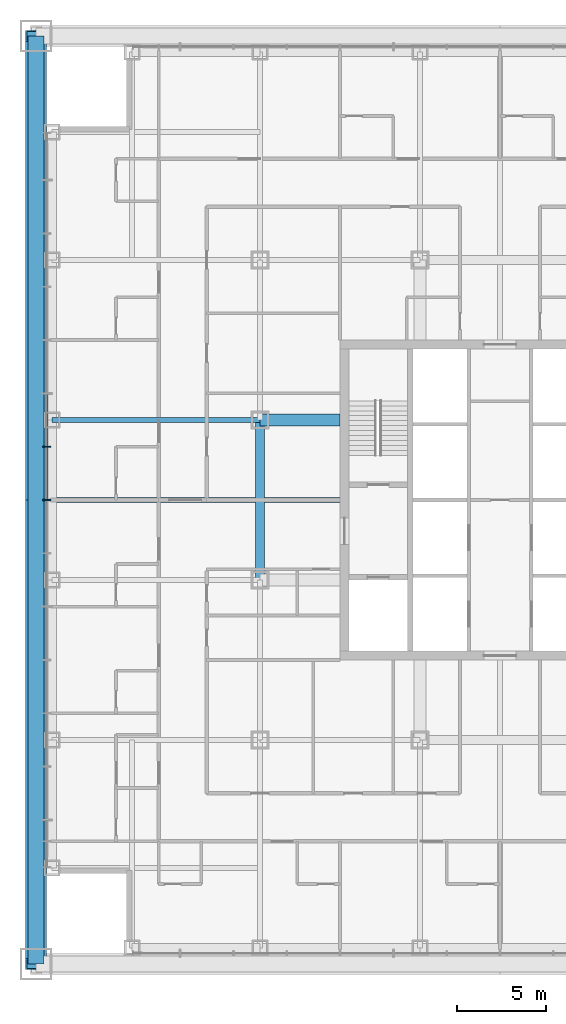
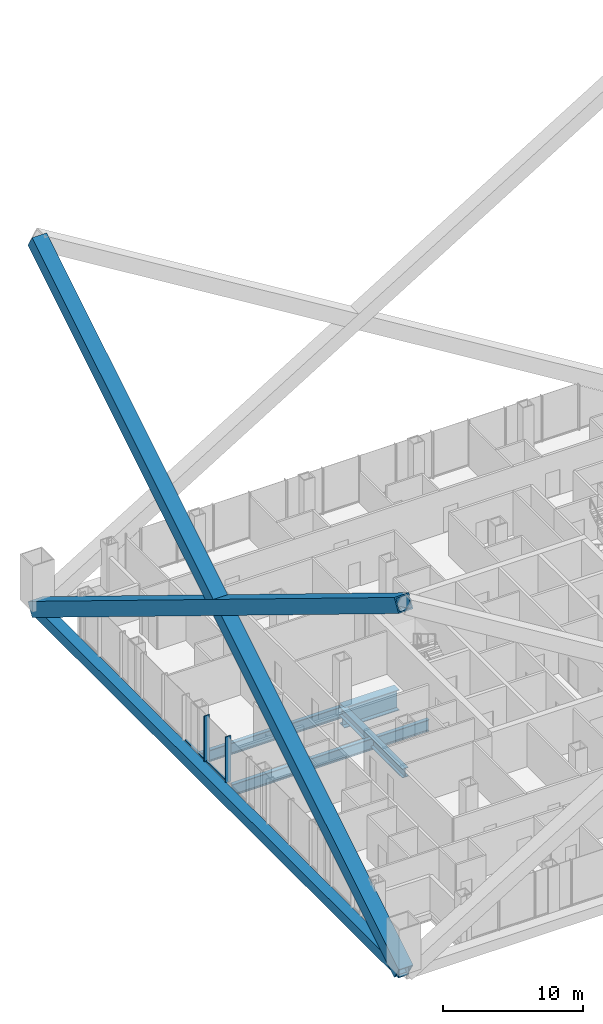
# One storey, part 5 of 21: 7 members, 4 beams, 1 element without a shape of its own.
"""IFC4 building model written with IfcOpenShell, lengths in metres."""

import ifcopenshell
import ifcopenshell.guid

model = None  # the IFC model being written
_history = None  # IfcOwnerHistory: only IFC2X3 demands one
_inside = {}  # id of a spatial element -> (the spatial element, [elements in it])
_under = {}  # id of a project, library or spatial element -> (it, [spatial elements below it])
_declared = {}  # id of a project -> (the project, [libraries it declares])
_typed = {}  # id of a type object -> (the type object, [elements of that type])
_made_of = {}  # id of a material, layer set ... -> (it, [elements and type objects made of it])


def new_model(schema):
    """Start an empty IFC model of exactly this schema.

    Asked for "IFC4X3", IfcOpenShell would pick the latest addendum, in which some entities
    have other attributes; the version numbers below select the first issue.
    IFC2X3 requires an IfcOwnerHistory on every rooted entity: one is made here for all.
    """
    global model, _history
    if schema == "IFC4X3":
        model = ifcopenshell.file(schema_version=(4, 3, 0, 0))
    else:
        model = ifcopenshell.file(schema=schema)
    _inside.clear()
    _under.clear()
    _declared.clear()
    _typed.clear()
    _made_of.clear()
    _history = None
    if model.schema == "IFC2X3":
        org = make("IfcOrganization", Name="unknown")
        user = make(
            "IfcPersonAndOrganization",
            ThePerson=make("IfcPerson", FamilyName="unknown"),
            TheOrganization=org,
        )
        app = make(
            "IfcApplication",
            ApplicationDeveloper=org,
            Version="unknown",
            ApplicationFullName="unknown",
            ApplicationIdentifier="unknown",
        )
        _history = make(
            "IfcOwnerHistory",
            OwningUser=user,
            OwningApplication=app,
            ChangeAction="ADDED",
            CreationDate=0,
        )
    return model


def make(cls, **values):
    """One entity of the class cls with the attributes given. An attribute that is None is left unset."""
    return model.create_entity(
        cls, **{name: value for name, value in values.items() if value is not None}
    )


def rooted(cls, **values):
    """An entity with a GlobalId (a new one), such as an element, a storey or a relation."""
    return make(cls, GlobalId=ifcopenshell.guid.new(), OwnerHistory=_history, **values)


def si_unit(unit_type, name, prefix=None):
    """IfcSIUnit, for example si_unit("LENGTHUNIT", "METRE", prefix="MILLI")."""
    return make("IfcSIUnit", UnitType=unit_type, Prefix=prefix, Name=name)


def assignment(units):
    """IfcUnitAssignment: the units of a project."""
    return None if units is None else make("IfcUnitAssignment", Units=units)


def point(xyz):
    """IfcCartesianPoint."""
    return None if xyz is None else make("IfcCartesianPoint", Coordinates=xyz)


def direction(xyz):
    """IfcDirection."""
    return None if xyz is None else make("IfcDirection", DirectionRatios=xyz)


def frame(location, z_axis=None, x_axis=None):
    """IfcAxis2Placement3D, a coordinate frame: its origin and axes. An axis left out is left unset."""
    return make(
        "IfcAxis2Placement3D",
        Location=point(location),
        Axis=direction(z_axis),
        RefDirection=direction(x_axis),
    )


def frame_2d(location, x_axis=None):
    """IfcAxis2Placement2D, a coordinate frame in the plane: its origin and x axis."""
    return make(
        "IfcAxis2Placement2D", Location=point(location), RefDirection=direction(x_axis)
    )


def origin():
    """The frame at (0, 0, 0) with its axes left unset."""
    return frame((0.0, 0.0, 0.0))


def origin_2d():
    """The frame at (0, 0) in the plane with its x axis left unset."""
    return frame_2d((0.0, 0.0))


def place(relative_to, where):
    """IfcLocalPlacement: puts the frame where relative to a parent placement (None: the world)."""
    return make(
        "IfcLocalPlacement", PlacementRelTo=relative_to, RelativePlacement=where
    )


def context(
    kind, dimensions, precision=None, world=None, true_north=None, identifier=None
):
    """IfcGeometricRepresentationContext, for example the 3D "Model" context."""
    return make(
        "IfcGeometricRepresentationContext",
        ContextIdentifier=identifier,
        ContextType=kind,
        CoordinateSpaceDimension=dimensions,
        Precision=precision,
        WorldCoordinateSystem=world,
        TrueNorth=true_north,
    )


def subcontext(parent, identifier, kind, view, scale=None):
    """IfcGeometricRepresentationSubContext, for example "Body" below "Model"."""
    return make(
        "IfcGeometricRepresentationSubContext",
        ContextIdentifier=identifier,
        ContextType=kind,
        ParentContext=parent,
        TargetScale=scale,
        TargetView=view,
    )


def project(units=None, contexts=None):
    """IfcProject with its units and contexts."""
    return rooted(
        "IfcProject",
        Name="project",
        RepresentationContexts=contexts,
        UnitsInContext=assignment(units),
    )


def spatial(cls, under=None, at=None, **own):
    """A site, building, storey or space (cls), placed at a placement, below another one or the project."""
    s = rooted(cls, ObjectPlacement=at, **own)
    if under is not None:
        _under.setdefault(under.id(), (under, []))[1].append(s)
    return s


def profile(cls, at=None, kind="AREA", **sizes):
    """A parametric profile (cls). Its sizes go by their IFC names, for example OverallWidth=200.0."""
    return make(cls, ProfileType=kind, Position=at, **sizes)


def rectangle(**sizes):
    """IfcRectangleProfileDef."""
    return profile("IfcRectangleProfileDef", **sizes)


def hollow_rectangle(**sizes):
    """IfcRectangleHollowProfileDef."""
    return profile("IfcRectangleHollowProfileDef", **sizes)


def i_section(**sizes):
    """IfcIShapeProfileDef."""
    return profile("IfcIShapeProfileDef", **sizes)


def extrude(swept, where, along, depth):
    """IfcExtrudedAreaSolid: the profile swept, set in the frame where, extruded along a direction by depth."""
    return make(
        "IfcExtrudedAreaSolid",
        SweptArea=swept,
        Position=where,
        ExtrudedDirection=direction(along),
        Depth=depth,
    )


def shape(context_of_items, identifier, shape_type, items):
    """IfcShapeRepresentation: the items that make up one representation, for example the "Body"."""
    return make(
        "IfcShapeRepresentation",
        ContextOfItems=context_of_items,
        RepresentationIdentifier=identifier,
        RepresentationType=shape_type,
        Items=items,
    )


def material(Name=None, Category=None):
    """IfcMaterial."""
    return make("IfcMaterial", Name=Name, Category=Category)


def layer(
    of_material, thickness, ventilated=None, Name=None, Category=None, Priority=None
):
    """IfcMaterialLayer: one layer of a wall or slab, of a material (None: an air gap)."""
    return make(
        "IfcMaterialLayer",
        Material=of_material,
        LayerThickness=thickness,
        IsVentilated=ventilated,
        Name=Name,
        Category=Category,
        Priority=Priority,
    )


def layer_set(layers, Name=None):
    """IfcMaterialLayerSet."""
    return make("IfcMaterialLayerSet", MaterialLayers=layers, LayerSetName=Name)


def material_profile(
    of_material, cross_section, Name=None, Category=None, Priority=None
):
    """IfcMaterialProfile: a cross section and its material."""
    return make(
        "IfcMaterialProfile",
        Name=Name,
        Material=of_material,
        Profile=cross_section,
        Priority=Priority,
        Category=Category,
    )


def profile_set(profiles, Name=None, composite=None):
    """IfcMaterialProfileSet."""
    return make(
        "IfcMaterialProfileSet",
        Name=Name,
        MaterialProfiles=profiles,
        CompositeProfile=composite,
    )


def made_of(thing, what):
    """Note that an element or type object is made of a material, layer set ...; save() writes the relation."""
    if what is not None:
        _made_of.setdefault(what.id(), (what, []))[1].append(thing)
    return thing


def type_object(cls, material=None, **own):
    """A type object (cls), such as IfcWallType, which elements share."""
    return made_of(rooted(cls, **own), material)


def element(
    cls,
    number,
    at=None,
    inside=None,
    cuts=None,
    type_object=None,
    material=None,
    context=None,
    identifier="Body",
    shape_type=None,
    held_by="IfcProductDefinitionShape",
    body=None,
    shapes=None,
    **own,
):
    """One element of the class cls, such as IfcWall. Its Tag is "e" and its number.

    at: its placement. inside: the storey or other place that contains it. cuts: it is an
    opening in that element (IfcRelVoidsElement). A single representation is given by context,
    identifier, shape_type and body (its items); several are given by shapes. held_by: the class
    of the entity that holds the representations. save() writes the other relations.
    """
    e = rooted(cls, Tag="e%d" % number, ObjectPlacement=at, **own)
    if body is not None:
        shapes = [shape(context, identifier, shape_type, body)]
    if shapes is not None:
        e.Representation = make(held_by, Representations=shapes)
    if inside is not None:
        _inside.setdefault(inside.id(), (inside, []))[1].append(e)
    if cuts is not None:
        rooted(
            "IfcRelVoidsElement", RelatingBuildingElement=cuts, RelatedOpeningElement=e
        )
    if type_object is not None:
        _typed.setdefault(type_object.id(), (type_object, []))[1].append(e)
    return made_of(e, material)


def aggregate(whole, parts):
    """IfcRelAggregates: a whole, such as a stair, and the parts it consists of."""
    return rooted("IfcRelAggregates", RelatingObject=whole, RelatedObjects=parts)


def save(model, path):
    """Write the relations noted so far, then the file.

    IfcRelAggregates (storeys below a building ...), IfcRelContainedInSpatialStructure (elements
    in a storey), IfcRelDefinesByType, IfcRelAssociatesMaterial and IfcRelDeclares: one each for
    every whole, place, type object, material and project.
    """
    for whole, parts in _under.values():
        aggregate(whole, parts)
    for where, things in _inside.values():
        rooted(
            "IfcRelContainedInSpatialStructure",
            RelatedElements=things,
            RelatingStructure=where,
        )
    for kind, things in _typed.values():
        rooted("IfcRelDefinesByType", RelatedObjects=things, RelatingType=kind)
    for what, things in _made_of.values():
        rooted("IfcRelAssociatesMaterial", RelatedObjects=things, RelatingMaterial=what)
    for by, libraries in _declared.values():
        rooted("IfcRelDeclares", RelatingContext=by, RelatedDefinitions=libraries)
    model.write(path)


model = new_model("IFC4")

# Units and contexts
model_context = context("Model", 3, precision=1e-05, world=origin(), true_north=direction((0.0, 1.0)))
body_context = subcontext(model_context, "Body", "Model", "MODEL_VIEW")
ifc_project = project(units=[si_unit("LENGTHUNIT", "METRE"), si_unit("AREAUNIT", "SQUARE_METRE"), si_unit("VOLUMEUNIT", "CUBIC_METRE"), si_unit("PLANEANGLEUNIT", "RADIAN"), si_unit("MASSUNIT", "GRAM", prefix="KILO")], contexts=[model_context])

# Site, building, storey
site_placement = place(None, origin())
site = spatial("IfcSite", under=ifc_project, at=site_placement, CompositionType="ELEMENT")
building_placement = place(site_placement, origin())
building = spatial("IfcBuilding", under=site, at=building_placement, Name="Malebo Sky Hospital", CompositionType="ELEMENT")
storey_placement = place(building_placement, frame((0.0, 0.0, 63.0)))
storey = spatial("IfcBuildingStorey", under=building, at=storey_placement, Name="L14", CompositionType="ELEMENT", Elevation=63.0)

# Curtain wall, members
ifc_material_1 = material(Name="Anodised aluminium, natural silver", Category="aluminium")
ifc_layer = layer(ifc_material_1, 0.25)
ifc_layer_set = layer_set([ifc_layer], Name="WARD CURTAIN WALL EAST AND WEST")
curtain_wall_type = type_object("IfcCurtainWallType", Name="WARD CURTAIN WALL EAST AND WEST", PredefinedType="NOTDEFINED", material=ifc_layer_set)
curtain_wall_placement = place(storey_placement, origin())
curtain_wall = element("IfcCurtainWall", 1, at=curtain_wall_placement, inside=storey, type_object=curtain_wall_type, Name="EW curtain wall W", PredefinedType="NOTDEFINED")
ifc_material_profile_1 = material_profile(ifc_material_1, rectangle(XDim=0.14990234375, YDim=0.10009765625, at=origin_2d()), Name="ALUMINIUM TRANSOM 150x100")
ifc_profile_set_1 = profile_set([ifc_material_profile_1], Name="Anodised aluminium, natural silver")
member_type_1 = type_object("IfcMemberType", Name="ALUMINIUM TRANSOM 150x100", PredefinedType="USERDEFINED", material=ifc_profile_set_1)
member_1_placement = place(storey_placement, frame((34.5, 62.03759765625, 0.050048828125), z_axis=(0.0, 1.0, 0.0), x_axis=(-1.0, 0.0, 0.0)))
member_1 = element("IfcMember", 2, at=member_1_placement, type_object=member_type_1, Name="Transom 9", ObjectType="TRANSOM", PredefinedType="USERDEFINED", context=body_context, shape_type="SweptSolid", body=[
    extrude(rectangle(XDim=0.14990234375, YDim=0.10009765625, at=origin_2d()), origin(), (0.0, 0.0, 1.0), 2.9248046875),
])
member_2_placement = place(storey_placement, frame((34.5, 65.03759765625, 0.050048828125), z_axis=(0.0, 1.0, 0.0), x_axis=(-1.0, 0.0, 0.0)))
member_2 = element("IfcMember", 3, at=member_2_placement, type_object=member_type_1, Name="Transom 10", ObjectType="TRANSOM", PredefinedType="USERDEFINED", context=body_context, shape_type="SweptSolid", body=[
    extrude(rectangle(XDim=0.14990234375, YDim=0.10009765625, at=origin_2d()), origin(), (0.0, 0.0, 1.0), 2.9248046875),
])
ifc_material_profile_2 = material_profile(ifc_material_1, rectangle(XDim=0.074951171875, YDim=0.449951171875, at=origin_2d()), Name="CW2 ALUMINIUM FIN MULLION 75x450")
ifc_profile_set_2 = profile_set([ifc_material_profile_2], Name="Anodised aluminium, natural silver")
member_type_2 = type_object("IfcMemberType", Name="CW2 ALUMINIUM FIN MULLION 75x450", PredefinedType="MULLION", material=ifc_profile_set_2)
member_3_placement = place(storey_placement, frame((34.5, 62.0, 0.0), z_axis=(0.0, 0.0, 1.0), x_axis=(0.0, 1.0, 0.0)))
member_3 = element("IfcMember", 4, at=member_3_placement, type_object=member_type_2, Name="Fin mullion 9", PredefinedType="MULLION", context=body_context, shape_type="SweptSolid", body=[
    extrude(rectangle(XDim=0.074951171875, YDim=0.449951171875, at=origin_2d()), origin(), (0.0, 0.0, 1.0), 4.0),
])
member_4_placement = place(storey_placement, frame((34.5, 65.0, 0.0), z_axis=(0.0, 0.0, 1.0), x_axis=(0.0, 1.0, 0.0)))
member_4 = element("IfcMember", 5, at=member_4_placement, type_object=member_type_2, Name="Fin mullion 10", PredefinedType="MULLION", context=body_context, shape_type="SweptSolid", body=[
    extrude(rectangle(XDim=0.074951171875, YDim=0.449951171875, at=origin_2d()), origin(), (0.0, 0.0, 1.0), 4.0),
])
aggregate(curtain_wall, [member_3, member_4, member_1, member_2])

# Beams
ifc_material_2 = material(Name="Steel S355", Category="steel")
ifc_material_profile_3 = material_profile(ifc_material_2, i_section(OverallWidth=0.300048828125, OverallDepth=1.0, WebThickness=0.01904296875, FlangeThickness=0.035888671875, FilletRadius=0.030029296875, at=origin_2d()), Name="HEB 1000")
ifc_profile_set_3 = profile_set([ifc_material_profile_3], Name="Steel S355")
beam_type_1 = type_object("IfcBeamType", Name="FLOOR BEAM HEB 1000", PredefinedType="BEAM", material=ifc_profile_set_3)
beam_1_placement = place(storey_placement, frame((34.800048828125, 62.0, -0.75), z_axis=(1.0, 0.0, 0.0), x_axis=(0.0, 1.0, 0.0)))
element("IfcBeam", 6, at=beam_1_placement, inside=storey, type_object=beam_type_1, Name="Beam 050 L14", PredefinedType="BEAM", context=body_context, shape_type="SweptSolid", body=[
    extrude(i_section(OverallWidth=0.300048828125, OverallDepth=1.0, WebThickness=0.01904296875, FlangeThickness=0.035888671875, FilletRadius=0.030029296875, at=origin_2d()), origin(), (0.0, 0.0, 1.0), 16.199951171875),
])
beam_2_placement = place(storey_placement, frame((34.800048828125, 66.5, -0.75), z_axis=(1.0, 0.0, 0.0), x_axis=(0.0, 1.0, 0.0)))
element("IfcBeam", 7, at=beam_2_placement, inside=storey, type_object=beam_type_1, Name="Beam 052 L14", PredefinedType="BEAM", context=body_context, shape_type="SweptSolid", body=[
    extrude(i_section(OverallWidth=0.300048828125, OverallDepth=1.0, WebThickness=0.01904296875, FlangeThickness=0.035888671875, FilletRadius=0.030029296875, at=origin_2d()), origin(), (0.0, 0.0, 1.0), 11.699951171875),
])
ifc_material_profile_4 = material_profile(ifc_material_2, i_section(OverallWidth=0.699951171875, OverallDepth=1.800048828125, WebThickness=0.034912109375, FlangeThickness=0.070068359375, at=origin_2d()), Name="PG 1800x700x35x70")
ifc_profile_set_4 = profile_set([ifc_material_profile_4], Name="Steel S355")
beam_type_2 = type_object("IfcBeamType", Name="FLOOR BEAM PG 1800x700x35x70", PredefinedType="BEAM", material=ifc_profile_set_4)
beam_3_placement = place(storey_placement, frame((46.5, 66.5, -1.14990234375), z_axis=(1.0, 0.0, 0.0), x_axis=(0.0, 1.0, 0.0)))
element("IfcBeam", 8, at=beam_3_placement, inside=storey, type_object=beam_type_2, Name="Beam 053 L14", PredefinedType="BEAM", context=body_context, shape_type="SweptSolid", body=[
    extrude(i_section(OverallWidth=0.699951171875, OverallDepth=1.800048828125, WebThickness=0.034912109375, FlangeThickness=0.070068359375, at=origin_2d()), origin(), (0.0, 0.0, 1.0), 4.5),
])

# Members
ifc_material_3 = material(Name="Steel S460", Category="steel")
ifc_material_profile_5 = material_profile(ifc_material_3, hollow_rectangle(XDim=1.199951171875, YDim=1.199951171875, WallThickness=0.10009765625, at=origin_2d()), Name="BOX 1200x1200x100")
ifc_profile_set_5 = profile_set([ifc_material_profile_5], Name="Steel S460")
member_type_3 = type_object("IfcMemberType", Name="MEGA BRACE BOX 1200x1200x100", PredefinedType="BRACE", material=ifc_profile_set_5)
for number, where, z_axis, x_axis, name in (
    (9, (33.89990234375, 88.10009765625, -0.39990234375), (0.0, -0.85255517375, 0.522637231464), (1.0, 0.0, 0.0), "Mega brace A2W1 L14-L22"),
    (10, (33.89990234375, 35.89990234375, -0.39990234375), (0.0, 0.85255517375, 0.522637231464), (-1.0, 0.0, 0.0), "Mega brace A2W2 L14-L22"),
):
    element("IfcMember", number, at=place(storey_placement, frame(where, z_axis=z_axis, x_axis=x_axis)), inside=storey, type_object=member_type_3, Name=name, PredefinedType="BRACE", context=body_context, shape_type="SweptSolid", body=[
        extrude(hollow_rectangle(XDim=1.199951171875, YDim=1.199951171875, WallThickness=0.10009765625, at=origin_2d()), origin(), (0.0, 0.0, 1.0), 61.22802734375),
    ])
ifc_material_profile_6 = material_profile(ifc_material_3, hollow_rectangle(XDim=0.89990234375, YDim=0.89990234375, WallThickness=0.050048828125, at=origin_2d()), Name="BOX 900x900x50")
ifc_profile_set_6 = profile_set([ifc_material_profile_6], Name="Steel S460")
member_type_4 = type_object("IfcMemberType", Name="MEGA TIE BOX 900x900x50", PredefinedType="CHORD", material=ifc_profile_set_6)
member_5_placement = place(storey_placement, frame((33.89990234375, 88.10009765625, -0.39990234375), z_axis=(0.0, -1.0, 0.0), x_axis=(1.0, 0.0, 0.0)))
element("IfcMember", 11, at=member_5_placement, inside=storey, type_object=member_type_4, Name="Mega tie AW L14", PredefinedType="CHORD", context=body_context, shape_type="SweptSolid", body=[
    extrude(hollow_rectangle(XDim=0.89990234375, YDim=0.89990234375, WallThickness=0.050048828125, at=origin_2d()), origin(), (0.0, 0.0, 1.0), 52.2001953125),
])

# Beam
ifc_material_profile_7 = material_profile(ifc_material_2, i_section(OverallWidth=0.5, OverallDepth=0.800048828125, WebThickness=0.030029296875, FlangeThickness=0.050048828125, at=origin_2d()), Name="PG 800x500x30x50")
ifc_profile_set_7 = profile_set([ifc_material_profile_7], Name="Steel S355")
beam_type_3 = type_object("IfcBeamType", Name="RING GIRDER PG 800x500x30x50", PredefinedType="BEAM", material=ifc_profile_set_7)
beam_4_placement = place(storey_placement, frame((46.5, 57.5, -0.64990234375), z_axis=(0.0, 1.0, 0.0), x_axis=(-1.0, 0.0, 0.0)))
element("IfcBeam", 12, at=beam_4_placement, inside=storey, type_object=beam_type_3, Name="Beam 009 L14", PredefinedType="BEAM", context=body_context, shape_type="SweptSolid", body=[
    extrude(i_section(OverallWidth=0.5, OverallDepth=0.800048828125, WebThickness=0.030029296875, FlangeThickness=0.050048828125, at=origin_2d()), origin(), (0.0, 0.0, 1.0), 9.0),
])

save(model, "model.ifc")
